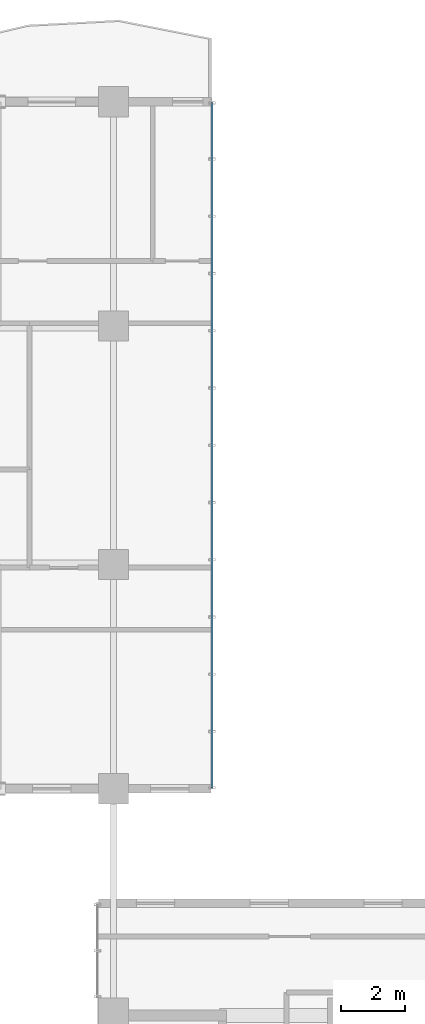
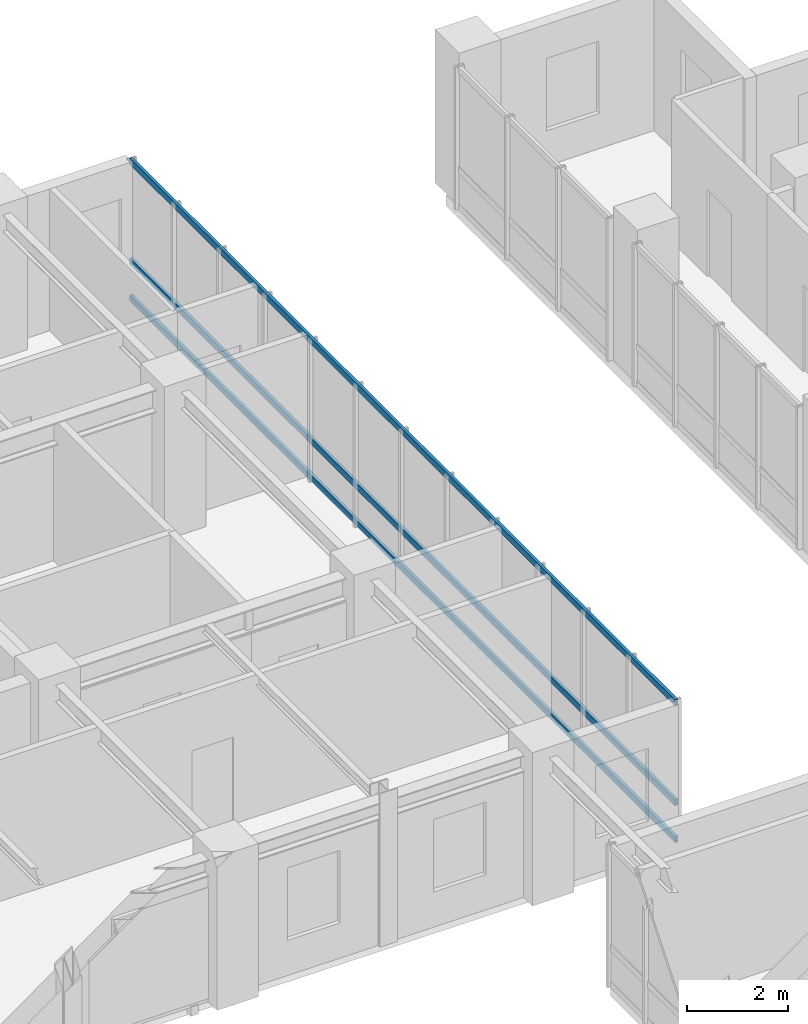
# One storey, part 11 of 24: 3 members, 1 element without a shape of its own.
"""IFC4 building model written with IfcOpenShell, lengths in metres."""

from ifc_helpers import new_model, si_unit, direction, frame, origin, origin_2d, place, context, subcontext, project, spatial, hollow_rectangle, extrude, source, transform, mapped, material, layer, layer_set, material_profile, profile_set, type_object, element, aggregate, save


model = new_model("IFC4")

# Units and contexts
model_context = context("Model", 3, precision=1e-05, world=origin(), true_north=direction((0.0, 1.0)))
body_context = subcontext(model_context, "Body", "Model", "MODEL_VIEW")
ifc_project = project(units=[si_unit("LENGTHUNIT", "METRE"), si_unit("AREAUNIT", "SQUARE_METRE"), si_unit("VOLUMEUNIT", "CUBIC_METRE"), si_unit("PLANEANGLEUNIT", "RADIAN"), si_unit("MASSUNIT", "GRAM", prefix="KILO")], contexts=[model_context])

# Site, building, storey
site_placement = place(None, origin())
site = spatial("IfcSite", under=ifc_project, at=site_placement, CompositionType="ELEMENT")
building_placement = place(site_placement, origin())
building = spatial("IfcBuilding", under=site, at=building_placement, Name="Kaliganga Portal Commons", CompositionType="ELEMENT")
storey_placement = place(building_placement, frame((0.0, 0.0, 242.5)))
storey = spatial("IfcBuildingStorey", under=building, at=storey_placement, Name="L62", CompositionType="ELEMENT", Elevation=242.5)

# Curtain wall, members
ifc_material_1 = material(Name="Anodized Aluminium and Laminated Low-E Glass", Category="aluminium")
ifc_layer = layer(ifc_material_1, 0.239990234375)
ifc_layer_set = layer_set([ifc_layer], Name="Anodized Aluminium and Laminated Low-E Glass")
curtain_wall_type = type_object("IfcCurtainWallType", Name="CW-SYS-04", PredefinedType="NOTDEFINED", material=ifc_layer_set)
curtain_wall_placement = place(storey_placement, origin())
curtain_wall = element("IfcCurtainWall", 1, at=curtain_wall_placement, inside=storey, type_object=curtain_wall_type, Name="CW 04 L62 P1E01S1", PredefinedType="NOTDEFINED")
ifc_material_2 = material(Name="Dark Bronze Anodized Aluminium", Category="aluminium")
ifc_material_profile = material_profile(ifc_material_2, hollow_rectangle(XDim=0.070068359375, YDim=0.14990234375, WallThickness=0.00341796875, at=origin_2d()), Name="ALU TRAN 70x150x3.5")
ifc_profile_set = profile_set([ifc_material_profile], Name="Dark Bronze Anodized Aluminium")
member_type = type_object("IfcMemberType", Name="CW-TRN-150", PredefinedType="USERDEFINED", material=ifc_profile_set)
shared_shape = source(origin(), body_context, "Body", "SweptSolid", [
    extrude(hollow_rectangle(XDim=0.070068359375, YDim=0.14990234375, WallThickness=0.00341796875, at=origin_2d()), origin(), (0.0, 0.0, 1.0), 21.559814453125),
])
member_1_placement = place(storey_placement, frame((39.10009765625, 21.6201171875, 0.06005859375), z_axis=(0.0, 1.0, 0.0), x_axis=(-1.0, 0.0, 0.0)))
member_1 = element("IfcMember", 2, at=member_1_placement, type_object=member_type, Name="CW:04:L62:P1E01S1 Transom 1", ObjectType="TRANSOM", PredefinedType="USERDEFINED", context=body_context, shape_type="MappedRepresentation", body=[
    mapped(shared_shape, transform((0.0, 0.0, 0.0), x_axis=(1.0, 0.0, 0.0), y_axis=(0.0, 1.0, 0.0), z_axis=(0.0, 0.0, 1.0), scale=1.0)),
])
member_2_placement = place(storey_placement, frame((39.10009765625, 21.6201171875, 0.949951171875), z_axis=(0.0, 1.0, 0.0), x_axis=(-1.0, 0.0, 0.0)))
member_2 = element("IfcMember", 3, at=member_2_placement, type_object=member_type, Name="CW:04:L62:P1E01S1 Transom 2", ObjectType="TRANSOM", PredefinedType="USERDEFINED", context=body_context, shape_type="MappedRepresentation", body=[
    mapped(shared_shape, transform((0.0, 0.0, 0.0), x_axis=(1.0, 0.0, 0.0), y_axis=(0.0, 1.0, 0.0), z_axis=(0.0, 0.0, 1.0), scale=1.0)),
])
member_3_placement = place(storey_placement, frame((39.10009765625, 21.6201171875, 3.360107421875), z_axis=(0.0, 1.0, 0.0), x_axis=(-1.0, 0.0, 0.0)))
member_3 = element("IfcMember", 4, at=member_3_placement, type_object=member_type, Name="CW:04:L62:P1E01S1 Transom 3", ObjectType="TRANSOM", PredefinedType="USERDEFINED", context=body_context, shape_type="MappedRepresentation", body=[
    mapped(shared_shape, transform((0.0, 0.0, 0.0), x_axis=(1.0, 0.0, 0.0), y_axis=(0.0, 1.0, 0.0), z_axis=(0.0, 0.0, 1.0), scale=1.0)),
])
aggregate(curtain_wall, [member_1, member_2, member_3])

save(model, "model.ifc")
